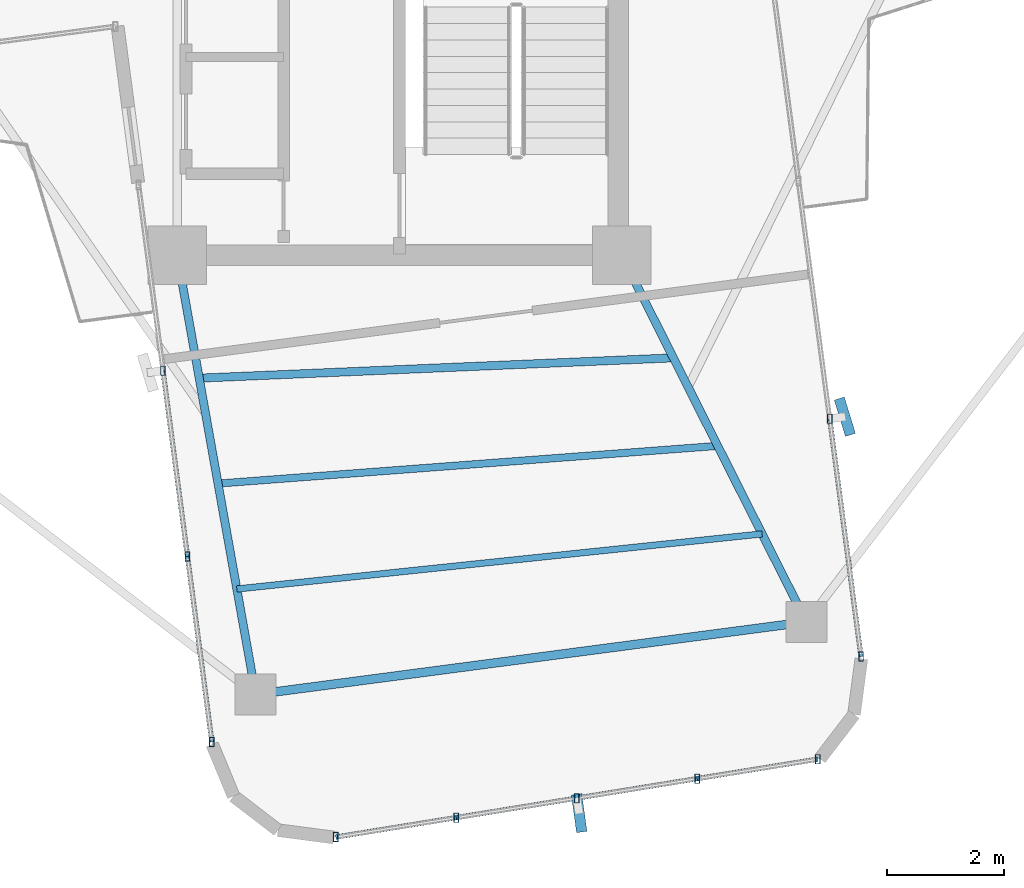
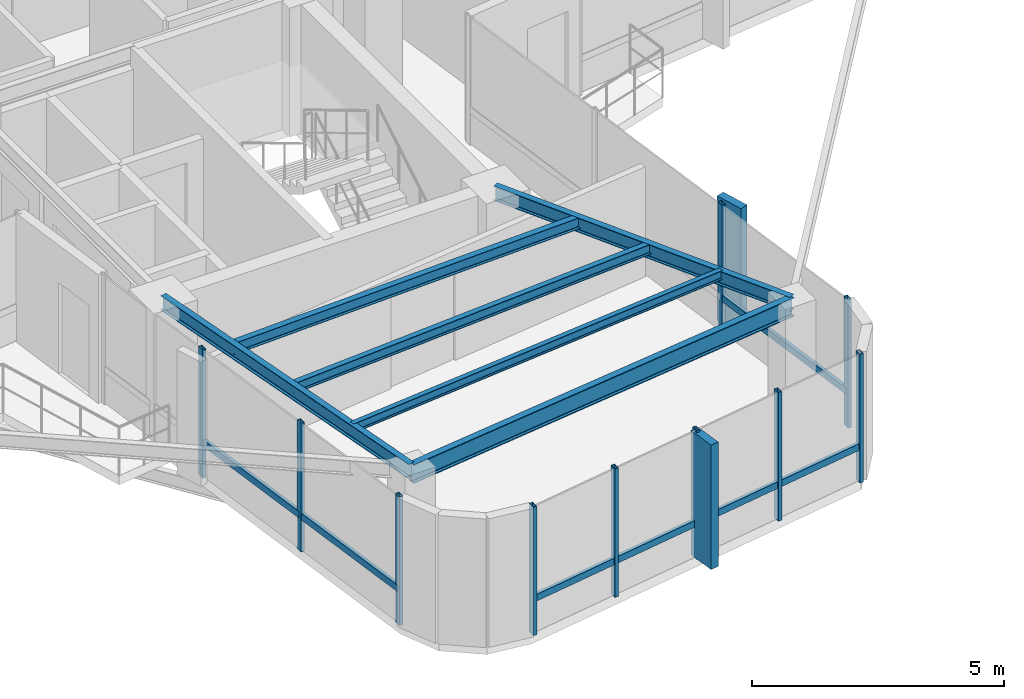
# One storey, part 4 of 22: 19 members, 6 beams, 3 elements without a shape of their own.
"""IFC4 building model written with IfcOpenShell, lengths in metres."""

from ifc_helpers import new_model, si_unit, direction, frame, origin, origin_2d, place, context, subcontext, project, spatial, rectangle, hollow_rectangle, i_section, extrude, source, transform, mapped, material, material_profile, profile_set, type_object, element, aggregate, save


model = new_model("IFC4")

# Units and contexts
model_context = context("Model", 3, precision=1e-05, world=origin(), true_north=direction((0.0, 1.0)))
body_context = subcontext(model_context, "Body", "Model", "MODEL_VIEW")
ifc_project = project(units=[si_unit("LENGTHUNIT", "METRE"), si_unit("AREAUNIT", "SQUARE_METRE"), si_unit("VOLUMEUNIT", "CUBIC_METRE"), si_unit("PLANEANGLEUNIT", "RADIAN"), si_unit("MASSUNIT", "GRAM", prefix="KILO")], contexts=[model_context])

# Site, building, storey
site_placement = place(None, origin())
site = spatial("IfcSite", under=ifc_project, at=site_placement, CompositionType="ELEMENT")
building_placement = place(site_placement, origin())
building = spatial("IfcBuilding", under=site, at=building_placement, Name="Sahyath Konkavel Grand Hotel", CompositionType="ELEMENT")
storey_placement = place(building_placement, frame((0.0, 0.0, 272.449951171875)))
storey = spatial("IfcBuildingStorey", under=building, at=storey_placement, Name="L76", CompositionType="ELEMENT", Elevation=272.449951171875)

# Beams
ifc_material_1 = material(Name="Steel E350", Category="steel")
ifc_material_profile_1 = material_profile(ifc_material_1, i_section(OverallWidth=0.139892578125, OverallDepth=0.35009765625, WebThickness=0.008056640625, FlangeThickness=0.01416015625, FilletRadius=0.013916015625, at=origin_2d()), Name="ISMB 350")
ifc_profile_set_1 = profile_set([ifc_material_profile_1], Name="Steel E350")
beam_type_1 = type_object("IfcBeamType", Name="BM-ISMB350", PredefinedType="BEAM", material=ifc_profile_set_1)
shared_shape_1 = source(origin(), body_context, "Body", "SweptSolid", [
    extrude(i_section(OverallWidth=0.139892578125, OverallDepth=0.35009765625, WebThickness=0.008056640625, FlangeThickness=0.01416015625, FilletRadius=0.013916015625, at=origin_2d()), origin(), (0.0, 0.0, 1.0), 7.631103515625),
])
beam_1_placement = place(storey_placement, frame((-3.800048828125, -10.199951171875, 2.93505859375), z_axis=(0.175734167088, -0.984437658015, 0.0), x_axis=(0.984437658015, 0.175734167088, 0.0)))
element("IfcBeam", 1, at=beam_1_placement, inside=storey, type_object=beam_type_1, Name="L76 Cruciform Radial Girder SA", PredefinedType="BEAM", context=body_context, shape_type="MappedRepresentation", body=[
    mapped(shared_shape_1, transform((0.0, 0.0, 0.0), scale=1.0)),
])
shared_shape_2 = source(origin(), body_context, "Body", "SweptSolid", [
    extrude(i_section(OverallWidth=0.139892578125, OverallDepth=0.35009765625, WebThickness=0.008056640625, FlangeThickness=0.01416015625, FilletRadius=0.013916015625, at=origin_2d()), origin(), (0.0, 0.0, 1.0), 7.0234375),
])
beam_2_placement = place(storey_placement, frame((3.800048828125, -10.199951171875, 2.93505859375), z_axis=(0.449881274382, -0.893088371305, 0.0), x_axis=(0.893088371305, 0.449881274382, 0.0)))
element("IfcBeam", 2, at=beam_2_placement, inside=storey, type_object=beam_type_1, Name="L76 Cruciform Radial Girder SB", PredefinedType="BEAM", context=body_context, shape_type="MappedRepresentation", body=[
    mapped(shared_shape_2, transform((0.0, 0.0, 0.0), scale=1.0)),
])
ifc_material_profile_2 = material_profile(ifc_material_1, i_section(OverallWidth=0.14990234375, OverallDepth=0.449951171875, WebThickness=0.009521484375, FlangeThickness=0.017333984375, FilletRadius=0.014892578125, at=origin_2d()), Name="ISMB 450")
ifc_profile_set_2 = profile_set([ifc_material_profile_2], Name="Steel E350")
beam_type_2 = type_object("IfcBeamType", Name="BM-ISMB450", PredefinedType="BEAM", material=ifc_profile_set_2)
shared_shape_3 = source(origin(), body_context, "Body", "SweptSolid", [
    extrude(i_section(OverallWidth=0.14990234375, OverallDepth=0.449951171875, WebThickness=0.009521484375, FlangeThickness=0.017333984375, FilletRadius=0.014892578125, at=origin_2d()), origin(), (0.0, 0.0, 1.0), 9.5),
])
beam_3_placement = place(storey_placement, frame((-2.458984375, -17.71240234375, 2.885009765625), z_axis=(0.991444933556, 0.130525643939, 0.0), x_axis=(-0.130525643939, 0.991444933556, 0.0)))
element("IfcBeam", 3, at=beam_3_placement, inside=storey, type_object=beam_type_2, Name="L76 Wing Tip Edge Beam S", PredefinedType="BEAM", context=body_context, shape_type="MappedRepresentation", body=[
    mapped(shared_shape_3, transform((0.0, 0.0, 0.0), scale=1.0)),
])
ifc_material_profile_3 = material_profile(ifc_material_1, i_section(OverallWidth=0.139892578125, OverallDepth=0.27490234375, WebThickness=0.00634765625, FlangeThickness=0.0087890625, FilletRadius=0.012939453125, at=origin_2d()), Name="ISLB 275")
ifc_profile_set_3 = profile_set([ifc_material_profile_3], Name="Steel E350")
beam_type_3 = type_object("IfcBeamType", Name="BM-ISLB275", PredefinedType="BEAM", material=ifc_profile_set_3)
shared_shape_4 = source(origin(), body_context, "Body", "SweptSolid", [
    extrude(i_section(OverallWidth=0.139892578125, OverallDepth=0.27490234375, WebThickness=0.00634765625, FlangeThickness=0.0087890625, FilletRadius=0.012939453125, at=origin_2d()), origin(), (0.0, 0.0, 1.0), 8.11669921875),
])
beam_4_placement = place(storey_placement, frame((-3.424560546875, -12.303466796875, 2.97265625), z_axis=(0.999084879956, 0.042771516718, 0.0), x_axis=(-0.042771516718, 0.999084879956, 0.0)))
element("IfcBeam", 4, at=beam_4_placement, inside=storey, type_object=beam_type_3, Name="L76 Secondary Floor Beam S-1", PredefinedType="BEAM", context=body_context, shape_type="MappedRepresentation", body=[
    mapped(shared_shape_4, transform((0.0, 0.0, 0.0), scale=1.0)),
])
ifc_material_profile_4 = material_profile(ifc_material_1, i_section(OverallWidth=0.125, OverallDepth=0.25, WebThickness=0.0068359375, FlangeThickness=0.012451171875, FilletRadius=0.012939453125, at=origin_2d()), Name="ISMB 250")
ifc_profile_set_4 = profile_set([ifc_material_profile_4], Name="Steel E350")
beam_type_4 = type_object("IfcBeamType", Name="BM-ISMB250", PredefinedType="BEAM", material=ifc_profile_set_4)
shared_shape_5 = source(origin(), body_context, "Body", "SweptSolid", [
    extrude(i_section(OverallWidth=0.125, OverallDepth=0.25, WebThickness=0.0068359375, FlangeThickness=0.012451171875, FilletRadius=0.012939453125, at=origin_2d()), origin(), (0.0, 0.0, 1.0), 8.570068359375),
])
beam_5_placement = place(storey_placement, frame((-3.102783203125, -14.1064453125, 2.985107421875), z_axis=(0.997165854664, 0.075234688098, 0.0), x_axis=(-0.075234688098, 0.997165854664, 0.0)))
element("IfcBeam", 5, at=beam_5_placement, inside=storey, type_object=beam_type_4, Name="L76 Secondary Floor Beam S-2", PredefinedType="BEAM", context=body_context, shape_type="MappedRepresentation", body=[
    mapped(shared_shape_5, transform((0.0, 0.0, 0.0), scale=1.0)),
])
ifc_material_profile_5 = material_profile(ifc_material_1, i_section(OverallWidth=0.110107421875, OverallDepth=0.22509765625, WebThickness=0.006591796875, FlangeThickness=0.01171875, FilletRadius=0.011962890625, at=origin_2d()), Name="ISMB 225")
ifc_profile_set_5 = profile_set([ifc_material_profile_5], Name="Steel E350")
beam_type_5 = type_object("IfcBeamType", Name="BM-ISMB225", PredefinedType="BEAM", material=ifc_profile_set_5)
shared_shape_6 = source(origin(), body_context, "Body", "SweptSolid", [
    extrude(i_section(OverallWidth=0.110107421875, OverallDepth=0.22509765625, WebThickness=0.006591796875, FlangeThickness=0.01171875, FilletRadius=0.011962890625, at=origin_2d()), origin(), (0.0, 0.0, 1.0), 9.03173828125),
])
beam_6_placement = place(storey_placement, frame((-2.781005859375, -15.909423828125, 2.99755859375), z_axis=(0.99454153435, 0.104341441688, 0.0), x_axis=(-0.104341441688, 0.99454153435, 0.0)))
element("IfcBeam", 6, at=beam_6_placement, inside=storey, type_object=beam_type_5, Name="L76 Secondary Floor Beam S-3", PredefinedType="BEAM", context=body_context, shape_type="MappedRepresentation", body=[
    mapped(shared_shape_6, transform((0.0, 0.0, 0.0), scale=1.0)),
])

# Curtain wall, member
ifc_material_2 = material(Name="Anodised Bronze Aluminium & Low-E Glazing", Category="aluminium")
curtain_wall_type = type_object("IfcCurtainWallType", Name="CW-ZONE4", PredefinedType="NOTDEFINED", material=ifc_material_2)
curtain_wall_1_placement = place(storey_placement, origin())
curtain_wall_1 = element("IfcCurtainWall", 7, at=curtain_wall_1_placement, inside=storey, type_object=curtain_wall_type, Name="L76 Unitised Curtain Wall F28", PredefinedType="NOTDEFINED")
ifc_material_3 = material(Name="Warm Buff Sandstone Cladding on Concrete C50/60", Category="masonry")
ifc_material_profile_6 = material_profile(ifc_material_3, rectangle(XDim=0.179931640625, YDim=0.64990234375, at=origin_2d()), Name="FIN 180x650")
ifc_profile_set_6 = profile_set([ifc_material_profile_6], Name="Warm Buff Sandstone Cladding on Concrete C50/60")
member_type_1 = type_object("IfcMemberType", Name="FIN-SANDSTONE-650", PredefinedType="MULLION", material=ifc_profile_set_6)
shared_shape_7 = source(origin(), body_context, "Body", "SweptSolid", [
    extrude(rectangle(XDim=0.179931640625, YDim=0.64990234375, at=origin_2d()), origin(), (0.0, 0.0, 1.0), 3.010009765625),
])
member_1_placement = place(storey_placement, frame((3.073486328125, -19.74365234375, 0.050048828125), z_axis=(0.0, 0.0, 1.0), x_axis=(0.990461425697, 0.137790290685, 0.0)))
member_1 = element("IfcMember", 8, at=member_1_placement, type_object=member_type_1, Name="L76 Sandstone Vertical Solar Fin FIN F28-2", PredefinedType="MULLION", context=body_context, shape_type="MappedRepresentation", body=[
    mapped(shared_shape_7, transform((0.0, 0.0, 0.0), scale=1.0)),
])

curtain_wall_2_placement = place(storey_placement, origin())
curtain_wall_2 = element("IfcCurtainWall", 9, at=curtain_wall_2_placement, inside=storey, type_object=curtain_wall_type, Name="L76 Unitised Curtain Wall F31", PredefinedType="NOTDEFINED")
member_2_placement = place(storey_placement, frame((7.6171875, -12.96337890625, 0.050048828125), z_axis=(0.0, 0.0, 1.0), x_axis=(0.956151539415, 0.292872384621, 0.0)))
member_2 = element("IfcMember", 10, at=member_2_placement, type_object=member_type_1, Name="L76 Sandstone Vertical Solar Fin FIN F31-1", PredefinedType="MULLION", context=body_context, shape_type="MappedRepresentation", body=[
    mapped(shared_shape_7, transform((0.0, 0.0, 0.0), scale=1.0)),
])

# Curtain wall, members
curtain_wall_3_placement = place(storey_placement, origin())
curtain_wall_3 = element("IfcCurtainWall", 11, at=curtain_wall_3_placement, inside=storey, type_object=curtain_wall_type, Name="L76 Unitised Curtain Wall F24", PredefinedType="NOTDEFINED")
ifc_material_4 = material(Name="Anodised Bronze Aluminium", Category="aluminium")
ifc_material_profile_7 = material_profile(ifc_material_4, hollow_rectangle(XDim=0.080078125, YDim=0.159912109375, WallThickness=0.006103515625, at=origin_2d()), Name="RHS 160x80x6")
ifc_profile_set_7 = profile_set([ifc_material_profile_7], Name="Anodised Bronze Aluminium")
member_type_2 = type_object("IfcMemberType", Name="CW-MUL-160", PredefinedType="MULLION", material=ifc_profile_set_7)
shared_shape_8 = source(origin(), body_context, "Body", "SweptSolid", [
    extrude(hollow_rectangle(XDim=0.080078125, YDim=0.159912109375, WallThickness=0.006103515625, at=origin_2d()), origin(), (0.0, 0.0, 1.0), 3.110107421875),
])
member_3_placement = place(storey_placement, frame((-4.04541015625, -12.175537109375, 0.0), z_axis=(0.0, 0.0, 1.0), x_axis=(1.0, 0.0, 0.0)))
member_3 = element("IfcMember", 12, at=member_3_placement, type_object=member_type_2, Name="L76 Curtain Wall Mullion F24-1", PredefinedType="MULLION", context=body_context, shape_type="MappedRepresentation", body=[
    mapped(shared_shape_8, transform((0.0, 0.0, 0.0), scale=1.0)),
])
member_4_placement = place(storey_placement, frame((-3.627197265625, -15.351318359375, 0.0), z_axis=(0.0, 0.0, 1.0), x_axis=(1.0, 0.0, 0.0)))
member_4 = element("IfcMember", 13, at=member_4_placement, type_object=member_type_2, Name="L76 Curtain Wall Mullion F24-2", PredefinedType="MULLION", context=body_context, shape_type="MappedRepresentation", body=[
    mapped(shared_shape_8, transform((0.0, 0.0, 0.0), scale=1.0)),
])
member_5_placement = place(storey_placement, frame((-3.208984375, -18.52734375, 0.0), z_axis=(0.0, 0.0, 1.0), x_axis=(1.0, 0.0, 0.0)))
member_5 = element("IfcMember", 14, at=member_5_placement, type_object=member_type_2, Name="L76 Curtain Wall Mullion F24-3", PredefinedType="MULLION", context=body_context, shape_type="MappedRepresentation", body=[
    mapped(shared_shape_8, transform((0.0, 0.0, 0.0), scale=1.0)),
])

# Member
member_6_placement = place(storey_placement, frame((-1.0888671875, -20.1533203125, 0.0), z_axis=(0.0, 0.0, 1.0), x_axis=(1.0, 0.0, 0.0)))
member_6 = element("IfcMember", 15, at=member_6_placement, type_object=member_type_2, Name="L76 Curtain Wall Mullion F28-0", PredefinedType="MULLION", context=body_context, shape_type="MappedRepresentation", body=[
    mapped(shared_shape_8, transform((0.0, 0.0, 0.0), scale=1.0)),
])

member_7_placement = place(storey_placement, frame((0.9716796875, -19.8203125, 0.0), z_axis=(0.0, 0.0, 1.0), x_axis=(1.0, 0.0, 0.0)))
member_7 = element("IfcMember", 16, at=member_7_placement, type_object=member_type_2, Name="L76 Curtain Wall Mullion F28-1", PredefinedType="MULLION", context=body_context, shape_type="MappedRepresentation", body=[
    mapped(shared_shape_8, transform((0.0, 0.0, 0.0), scale=1.0)),
])

member_8_placement = place(storey_placement, frame((3.031982421875, -19.487060546875, 0.0), z_axis=(0.0, 0.0, 1.0), x_axis=(1.0, 0.0, 0.0)))
member_8 = element("IfcMember", 17, at=member_8_placement, type_object=member_type_2, Name="L76 Curtain Wall Mullion F28-2", PredefinedType="MULLION", context=body_context, shape_type="MappedRepresentation", body=[
    mapped(shared_shape_8, transform((0.0, 0.0, 0.0), scale=1.0)),
])

member_9_placement = place(storey_placement, frame((5.09228515625, -19.15380859375, 0.0), z_axis=(0.0, 0.0, 1.0), x_axis=(1.0, 0.0, 0.0)))
member_9 = element("IfcMember", 18, at=member_9_placement, type_object=member_type_2, Name="L76 Curtain Wall Mullion F28-3", PredefinedType="MULLION", context=body_context, shape_type="MappedRepresentation", body=[
    mapped(shared_shape_8, transform((0.0, 0.0, 0.0), scale=1.0)),
])

member_10_placement = place(storey_placement, frame((7.15283203125, -18.82080078125, 0.0), z_axis=(0.0, 0.0, 1.0), x_axis=(1.0, 0.0, 0.0)))
member_10 = element("IfcMember", 19, at=member_10_placement, type_object=member_type_2, Name="L76 Curtain Wall Mullion F28-4", PredefinedType="MULLION", context=body_context, shape_type="MappedRepresentation", body=[
    mapped(shared_shape_8, transform((0.0, 0.0, 0.0), scale=1.0)),
])

member_11_placement = place(storey_placement, frame((7.89501953125, -17.0654296875, 0.0), z_axis=(0.0, 0.0, 1.0), x_axis=(1.0, 0.0, 0.0)))
member_11 = element("IfcMember", 20, at=member_11_placement, type_object=member_type_2, Name="L76 Curtain Wall Mullion F31-0", PredefinedType="MULLION", context=body_context, shape_type="MappedRepresentation", body=[
    mapped(shared_shape_8, transform((0.0, 0.0, 0.0), scale=1.0)),
])

member_12_placement = place(storey_placement, frame((7.359619140625, -12.997314453125, 0.0), z_axis=(0.0, 0.0, 1.0), x_axis=(1.0, 0.0, 0.0)))
member_12 = element("IfcMember", 21, at=member_12_placement, type_object=member_type_2, Name="L76 Curtain Wall Mullion F31-1", PredefinedType="MULLION", context=body_context, shape_type="MappedRepresentation", body=[
    mapped(shared_shape_8, transform((0.0, 0.0, 0.0), scale=1.0)),
])

ifc_material_profile_8 = material_profile(ifc_material_4, hollow_rectangle(XDim=0.080078125, YDim=0.159912109375, WallThickness=0.006103515625, at=origin_2d()), Name="RHS 160x80x6")
ifc_profile_set_8 = profile_set([ifc_material_profile_8], Name="Anodised Bronze Aluminium")
member_type_3 = type_object("IfcMemberType", Name="CW-TRN-160", PredefinedType="USERDEFINED", material=ifc_profile_set_8)
shared_shape_9 = source(origin(), body_context, "Body", "SweptSolid", [
    extrude(hollow_rectangle(XDim=0.080078125, YDim=0.159912109375, WallThickness=0.006103515625, at=origin_2d()), origin(), (0.0, 0.0, 1.0), 3.203369140625),
])
member_13_placement = place(storey_placement, frame((-3.627197265625, -15.351318359375, 0.85009765625), z_axis=(0.130551112835, -0.991441580194, 0.0), x_axis=(0.991441580194, 0.130551112835, 0.0)))
member_13 = element("IfcMember", 22, at=member_13_placement, type_object=member_type_3, Name="L76 Curtain Wall Transom F24-2-spandrel", ObjectType="TRANSOM", PredefinedType="USERDEFINED", context=body_context, shape_type="MappedRepresentation", body=[
    mapped(shared_shape_9, transform((0.0, 0.0, 0.0), scale=1.0)),
])

shared_shape_10 = source(origin(), body_context, "Body", "SweptSolid", [
    extrude(hollow_rectangle(XDim=0.080078125, YDim=0.159912109375, WallThickness=0.006103515625, at=origin_2d()), origin(), (0.0, 0.0, 1.0), 3.203125),
])
member_14_placement = place(storey_placement, frame((-4.04541015625, -12.175537109375, 0.85009765625), z_axis=(0.13056097798, -0.991440281121, 0.0), x_axis=(0.991440281121, 0.13056097798, 0.0)))
member_14 = element("IfcMember", 23, at=member_14_placement, type_object=member_type_3, Name="L76 Curtain Wall Transom F24-1-spandrel", ObjectType="TRANSOM", PredefinedType="USERDEFINED", context=body_context, shape_type="MappedRepresentation", body=[
    mapped(shared_shape_10, transform((0.0, 0.0, 0.0), scale=1.0)),
])

aggregate(curtain_wall_3, [member_3, member_4, member_5, member_14, member_13])

shared_shape_11 = source(origin(), body_context, "Body", "SweptSolid", [
    extrude(hollow_rectangle(XDim=0.080078125, YDim=0.159912109375, WallThickness=0.006103515625, at=origin_2d()), origin(), (0.0, 0.0, 1.0), 2.08740234375),
])
member_15_placement = place(storey_placement, frame((-1.0888671875, -20.1533203125, 0.85009765625), z_axis=(0.98719124923, 0.159541334591, 0.0), x_axis=(-0.159541334591, 0.98719124923, 0.0)))
member_15 = element("IfcMember", 24, at=member_15_placement, type_object=member_type_3, Name="L76 Curtain Wall Transom F28-0-spandrel", ObjectType="TRANSOM", PredefinedType="USERDEFINED", context=body_context, shape_type="MappedRepresentation", body=[
    mapped(shared_shape_11, transform((0.0, 0.0, 0.0), scale=1.0)),
])

member_16_placement = place(storey_placement, frame((5.09228515625, -19.15380859375, 0.85009765625), z_axis=(0.98719124923, 0.159541334591, 0.0), x_axis=(-0.159541334591, 0.98719124923, 0.0)))
member_16 = element("IfcMember", 25, at=member_16_placement, type_object=member_type_3, Name="L76 Curtain Wall Transom F28-3-spandrel", ObjectType="TRANSOM", PredefinedType="USERDEFINED", context=body_context, shape_type="MappedRepresentation", body=[
    mapped(shared_shape_11, transform((0.0, 0.0, 0.0), scale=1.0)),
])

shared_shape_12 = source(origin(), body_context, "Body", "SweptSolid", [
    extrude(hollow_rectangle(XDim=0.080078125, YDim=0.159912109375, WallThickness=0.006103515625, at=origin_2d()), origin(), (0.0, 0.0, 1.0), 2.087158203125),
])
member_17_placement = place(storey_placement, frame((0.9716796875, -19.8203125, 0.85009765625), z_axis=(0.98716983924, 0.159673756436, 0.0), x_axis=(-0.159673756436, 0.98716983924, 0.0)))
member_17 = element("IfcMember", 26, at=member_17_placement, type_object=member_type_3, Name="L76 Curtain Wall Transom F28-1-spandrel", ObjectType="TRANSOM", PredefinedType="USERDEFINED", context=body_context, shape_type="MappedRepresentation", body=[
    mapped(shared_shape_12, transform((0.0, 0.0, 0.0), scale=1.0)),
])

member_18_placement = place(storey_placement, frame((3.031982421875, -19.487060546875, 0.85009765625), z_axis=(0.98716983924, 0.159673756436, 0.0), x_axis=(-0.159673756436, 0.98716983924, 0.0)))
member_18 = element("IfcMember", 27, at=member_18_placement, type_object=member_type_3, Name="L76 Curtain Wall Transom F28-2-spandrel", ObjectType="TRANSOM", PredefinedType="USERDEFINED", context=body_context, shape_type="MappedRepresentation", body=[
    mapped(shared_shape_12, transform((0.0, 0.0, 0.0), scale=1.0)),
])

aggregate(curtain_wall_1, [member_6, member_7, member_8, member_1, member_9, member_10, member_15, member_17, member_18, member_16])

shared_shape_13 = source(origin(), body_context, "Body", "SweptSolid", [
    extrude(hollow_rectangle(XDim=0.080078125, YDim=0.159912109375, WallThickness=0.006103515625, at=origin_2d()), origin(), (0.0, 0.0, 1.0), 4.103271484375),
])
member_19_placement = place(storey_placement, frame((7.89501953125, -17.0654296875, 0.85009765625), z_axis=(-0.130483756275, 0.991450447248, 0.0), x_axis=(-0.991450447248, -0.130483756275, 0.0)))
member_19 = element("IfcMember", 28, at=member_19_placement, type_object=member_type_3, Name="L76 Curtain Wall Transom F31-0-spandrel", ObjectType="TRANSOM", PredefinedType="USERDEFINED", context=body_context, shape_type="MappedRepresentation", body=[
    mapped(shared_shape_13, transform((0.0, 0.0, 0.0), scale=1.0)),
])

aggregate(curtain_wall_2, [member_11, member_12, member_2, member_19])

save(model, "model.ifc")
